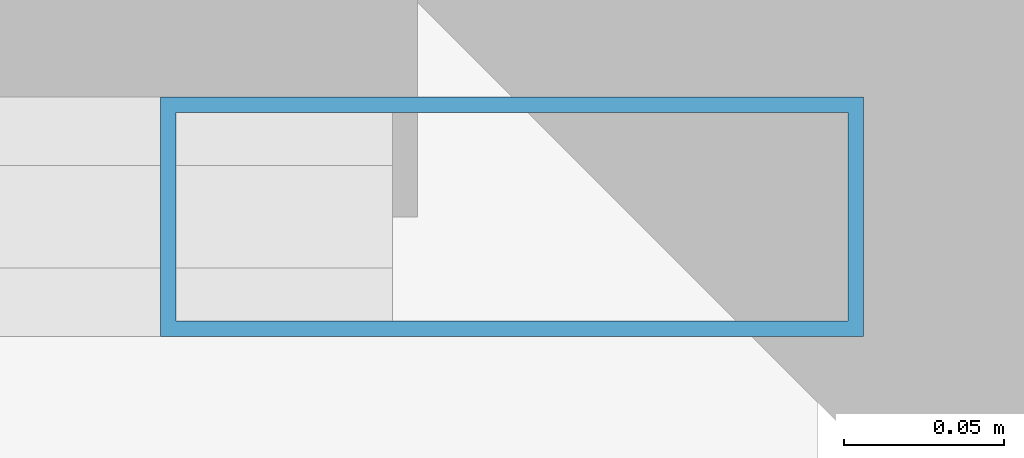
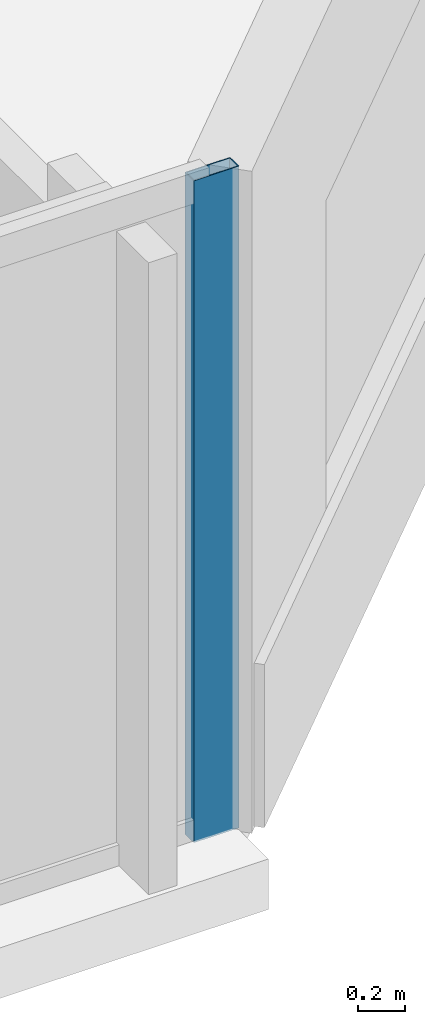
# One storey, part 16 of 32: 1 member, 1 element without a shape of its own.
"""IFC4 building model written with IfcOpenShell, lengths in metres."""

import ifcopenshell
import ifcopenshell.guid

model = None  # the IFC model being written
_history = None  # IfcOwnerHistory: only IFC2X3 demands one
_inside = {}  # id of a spatial element -> (the spatial element, [elements in it])
_under = {}  # id of a project, library or spatial element -> (it, [spatial elements below it])
_declared = {}  # id of a project -> (the project, [libraries it declares])
_typed = {}  # id of a type object -> (the type object, [elements of that type])
_made_of = {}  # id of a material, layer set ... -> (it, [elements and type objects made of it])


def new_model(schema):
    """Start an empty IFC model of exactly this schema.

    Asked for "IFC4X3", IfcOpenShell would pick the latest addendum, in which some entities
    have other attributes; the version numbers below select the first issue.
    IFC2X3 requires an IfcOwnerHistory on every rooted entity: one is made here for all.
    """
    global model, _history
    if schema == "IFC4X3":
        model = ifcopenshell.file(schema_version=(4, 3, 0, 0))
    else:
        model = ifcopenshell.file(schema=schema)
    _inside.clear()
    _under.clear()
    _declared.clear()
    _typed.clear()
    _made_of.clear()
    _history = None
    if model.schema == "IFC2X3":
        org = make("IfcOrganization", Name="unknown")
        user = make(
            "IfcPersonAndOrganization",
            ThePerson=make("IfcPerson", FamilyName="unknown"),
            TheOrganization=org,
        )
        app = make(
            "IfcApplication",
            ApplicationDeveloper=org,
            Version="unknown",
            ApplicationFullName="unknown",
            ApplicationIdentifier="unknown",
        )
        _history = make(
            "IfcOwnerHistory",
            OwningUser=user,
            OwningApplication=app,
            ChangeAction="ADDED",
            CreationDate=0,
        )
    return model


def make(cls, **values):
    """One entity of the class cls with the attributes given. An attribute that is None is left unset."""
    return model.create_entity(
        cls, **{name: value for name, value in values.items() if value is not None}
    )


def rooted(cls, **values):
    """An entity with a GlobalId (a new one), such as an element, a storey or a relation."""
    return make(cls, GlobalId=ifcopenshell.guid.new(), OwnerHistory=_history, **values)


def si_unit(unit_type, name, prefix=None):
    """IfcSIUnit, for example si_unit("LENGTHUNIT", "METRE", prefix="MILLI")."""
    return make("IfcSIUnit", UnitType=unit_type, Prefix=prefix, Name=name)


def assignment(units):
    """IfcUnitAssignment: the units of a project."""
    return None if units is None else make("IfcUnitAssignment", Units=units)


def point(xyz):
    """IfcCartesianPoint."""
    return None if xyz is None else make("IfcCartesianPoint", Coordinates=xyz)


def direction(xyz):
    """IfcDirection."""
    return None if xyz is None else make("IfcDirection", DirectionRatios=xyz)


def frame(location, z_axis=None, x_axis=None):
    """IfcAxis2Placement3D, a coordinate frame: its origin and axes. An axis left out is left unset."""
    return make(
        "IfcAxis2Placement3D",
        Location=point(location),
        Axis=direction(z_axis),
        RefDirection=direction(x_axis),
    )


def frame_2d(location, x_axis=None):
    """IfcAxis2Placement2D, a coordinate frame in the plane: its origin and x axis."""
    return make(
        "IfcAxis2Placement2D", Location=point(location), RefDirection=direction(x_axis)
    )


def origin():
    """The frame at (0, 0, 0) with its axes left unset."""
    return frame((0.0, 0.0, 0.0))


def origin_2d():
    """The frame at (0, 0) in the plane with its x axis left unset."""
    return frame_2d((0.0, 0.0))


def place(relative_to, where):
    """IfcLocalPlacement: puts the frame where relative to a parent placement (None: the world)."""
    return make(
        "IfcLocalPlacement", PlacementRelTo=relative_to, RelativePlacement=where
    )


def context(
    kind, dimensions, precision=None, world=None, true_north=None, identifier=None
):
    """IfcGeometricRepresentationContext, for example the 3D "Model" context."""
    return make(
        "IfcGeometricRepresentationContext",
        ContextIdentifier=identifier,
        ContextType=kind,
        CoordinateSpaceDimension=dimensions,
        Precision=precision,
        WorldCoordinateSystem=world,
        TrueNorth=true_north,
    )


def subcontext(parent, identifier, kind, view, scale=None):
    """IfcGeometricRepresentationSubContext, for example "Body" below "Model"."""
    return make(
        "IfcGeometricRepresentationSubContext",
        ContextIdentifier=identifier,
        ContextType=kind,
        ParentContext=parent,
        TargetScale=scale,
        TargetView=view,
    )


def project(units=None, contexts=None):
    """IfcProject with its units and contexts."""
    return rooted(
        "IfcProject",
        Name="project",
        RepresentationContexts=contexts,
        UnitsInContext=assignment(units),
    )


def spatial(cls, under=None, at=None, **own):
    """A site, building, storey or space (cls), placed at a placement, below another one or the project."""
    s = rooted(cls, ObjectPlacement=at, **own)
    if under is not None:
        _under.setdefault(under.id(), (under, []))[1].append(s)
    return s


def profile(cls, at=None, kind="AREA", **sizes):
    """A parametric profile (cls). Its sizes go by their IFC names, for example OverallWidth=200.0."""
    return make(cls, ProfileType=kind, Position=at, **sizes)


def hollow_rectangle(**sizes):
    """IfcRectangleHollowProfileDef."""
    return profile("IfcRectangleHollowProfileDef", **sizes)


def extrude(swept, where, along, depth):
    """IfcExtrudedAreaSolid: the profile swept, set in the frame where, extruded along a direction by depth."""
    return make(
        "IfcExtrudedAreaSolid",
        SweptArea=swept,
        Position=where,
        ExtrudedDirection=direction(along),
        Depth=depth,
    )


def shape(context_of_items, identifier, shape_type, items):
    """IfcShapeRepresentation: the items that make up one representation, for example the "Body"."""
    return make(
        "IfcShapeRepresentation",
        ContextOfItems=context_of_items,
        RepresentationIdentifier=identifier,
        RepresentationType=shape_type,
        Items=items,
    )


def material(Name=None, Category=None):
    """IfcMaterial."""
    return make("IfcMaterial", Name=Name, Category=Category)


def layer(
    of_material, thickness, ventilated=None, Name=None, Category=None, Priority=None
):
    """IfcMaterialLayer: one layer of a wall or slab, of a material (None: an air gap)."""
    return make(
        "IfcMaterialLayer",
        Material=of_material,
        LayerThickness=thickness,
        IsVentilated=ventilated,
        Name=Name,
        Category=Category,
        Priority=Priority,
    )


def layer_set(layers, Name=None):
    """IfcMaterialLayerSet."""
    return make("IfcMaterialLayerSet", MaterialLayers=layers, LayerSetName=Name)


def material_profile(
    of_material, cross_section, Name=None, Category=None, Priority=None
):
    """IfcMaterialProfile: a cross section and its material."""
    return make(
        "IfcMaterialProfile",
        Name=Name,
        Material=of_material,
        Profile=cross_section,
        Priority=Priority,
        Category=Category,
    )


def profile_set(profiles, Name=None, composite=None):
    """IfcMaterialProfileSet."""
    return make(
        "IfcMaterialProfileSet",
        Name=Name,
        MaterialProfiles=profiles,
        CompositeProfile=composite,
    )


def made_of(thing, what):
    """Note that an element or type object is made of a material, layer set ...; save() writes the relation."""
    if what is not None:
        _made_of.setdefault(what.id(), (what, []))[1].append(thing)
    return thing


def type_object(cls, material=None, **own):
    """A type object (cls), such as IfcWallType, which elements share."""
    return made_of(rooted(cls, **own), material)


def element(
    cls,
    number,
    at=None,
    inside=None,
    cuts=None,
    type_object=None,
    material=None,
    context=None,
    identifier="Body",
    shape_type=None,
    held_by="IfcProductDefinitionShape",
    body=None,
    shapes=None,
    **own,
):
    """One element of the class cls, such as IfcWall. Its Tag is "e" and its number.

    at: its placement. inside: the storey or other place that contains it. cuts: it is an
    opening in that element (IfcRelVoidsElement). A single representation is given by context,
    identifier, shape_type and body (its items); several are given by shapes. held_by: the class
    of the entity that holds the representations. save() writes the other relations.
    """
    e = rooted(cls, Tag="e%d" % number, ObjectPlacement=at, **own)
    if body is not None:
        shapes = [shape(context, identifier, shape_type, body)]
    if shapes is not None:
        e.Representation = make(held_by, Representations=shapes)
    if inside is not None:
        _inside.setdefault(inside.id(), (inside, []))[1].append(e)
    if cuts is not None:
        rooted(
            "IfcRelVoidsElement", RelatingBuildingElement=cuts, RelatedOpeningElement=e
        )
    if type_object is not None:
        _typed.setdefault(type_object.id(), (type_object, []))[1].append(e)
    return made_of(e, material)


def aggregate(whole, parts):
    """IfcRelAggregates: a whole, such as a stair, and the parts it consists of."""
    return rooted("IfcRelAggregates", RelatingObject=whole, RelatedObjects=parts)


def save(model, path):
    """Write the relations noted so far, then the file.

    IfcRelAggregates (storeys below a building ...), IfcRelContainedInSpatialStructure (elements
    in a storey), IfcRelDefinesByType, IfcRelAssociatesMaterial and IfcRelDeclares: one each for
    every whole, place, type object, material and project.
    """
    for whole, parts in _under.values():
        aggregate(whole, parts)
    for where, things in _inside.values():
        rooted(
            "IfcRelContainedInSpatialStructure",
            RelatedElements=things,
            RelatingStructure=where,
        )
    for kind, things in _typed.values():
        rooted("IfcRelDefinesByType", RelatedObjects=things, RelatingType=kind)
    for what, things in _made_of.values():
        rooted("IfcRelAssociatesMaterial", RelatedObjects=things, RelatingMaterial=what)
    for by, libraries in _declared.values():
        rooted("IfcRelDeclares", RelatingContext=by, RelatedDefinitions=libraries)
    model.write(path)


model = new_model("IFC4")

# Units and contexts
model_context = context("Model", 3, precision=1e-05, world=origin(), true_north=direction((0.0, 1.0)))
body_context = subcontext(model_context, "Body", "Model", "MODEL_VIEW")
ifc_project = project(units=[si_unit("LENGTHUNIT", "METRE"), si_unit("AREAUNIT", "SQUARE_METRE"), si_unit("VOLUMEUNIT", "CUBIC_METRE"), si_unit("PLANEANGLEUNIT", "RADIAN"), si_unit("MASSUNIT", "GRAM", prefix="KILO")], contexts=[model_context])

# Site, building, storey
site_placement = place(None, origin())
site = spatial("IfcSite", under=ifc_project, at=site_placement, CompositionType="ELEMENT")
building_placement = place(site_placement, origin())
building = spatial("IfcBuilding", under=site, at=building_placement, Name="Tanjung Sevakor Pilgrim Tower", CompositionType="ELEMENT")
storey_placement = place(building_placement, frame((0.0, 0.0, 62.3701171875)))
storey = spatial("IfcBuildingStorey", under=building, at=storey_placement, Name="L17", CompositionType="ELEMENT", Elevation=62.3701171875)

# Curtain wall, member
ifc_material_1 = material(Name="Aluminium 6063-T6 and Low-E Glass", Category="aluminium")
ifc_layer = layer(ifc_material_1, 0.199951171875)
ifc_layer_set = layer_set([ifc_layer], Name="CW-SYS-PRAY")
curtain_wall_type = type_object("IfcCurtainWallType", Name="CW-SYS-PRAY", PredefinedType="NOTDEFINED", material=ifc_layer_set)
curtain_wall_placement = place(storey_placement, origin())
curtain_wall = element("IfcCurtainWall", 1, at=curtain_wall_placement, inside=storey, type_object=curtain_wall_type, Name="L17 Curtain Wall CW-PRY-L17-14", PredefinedType="NOTDEFINED")
ifc_material_2 = material(Name="Aluminium 6063-T6", Category="aluminium")
ifc_material_profile = material_profile(ifc_material_2, hollow_rectangle(XDim=0.074951171875, YDim=0.219970703125, WallThickness=0.0048828125, at=origin_2d()))
ifc_profile_set = profile_set([ifc_material_profile], Name="Aluminium 6063-T6")
member_type = type_object("IfcMemberType", Name="TYPE-CWM-2", PredefinedType="MULLION", material=ifc_profile_set)
member_placement = place(storey_placement, frame((96.50439453125, 7.739990234375, 0.0), z_axis=(0.0, 0.0, 1.0), x_axis=(0.0, 1.0, 0.0)))
member = element("IfcMember", 2, at=member_placement, type_object=member_type, Name="CW-PRY mullion 2", PredefinedType="MULLION", context=body_context, shape_type="SweptSolid", body=[
    extrude(hollow_rectangle(XDim=0.074951171875, YDim=0.219970703125, WallThickness=0.0048828125, at=origin_2d()), origin(), (0.0, 0.0, 1.0), 3.409912109375),
])
aggregate(curtain_wall, [member])

save(model, "model.ifc")
